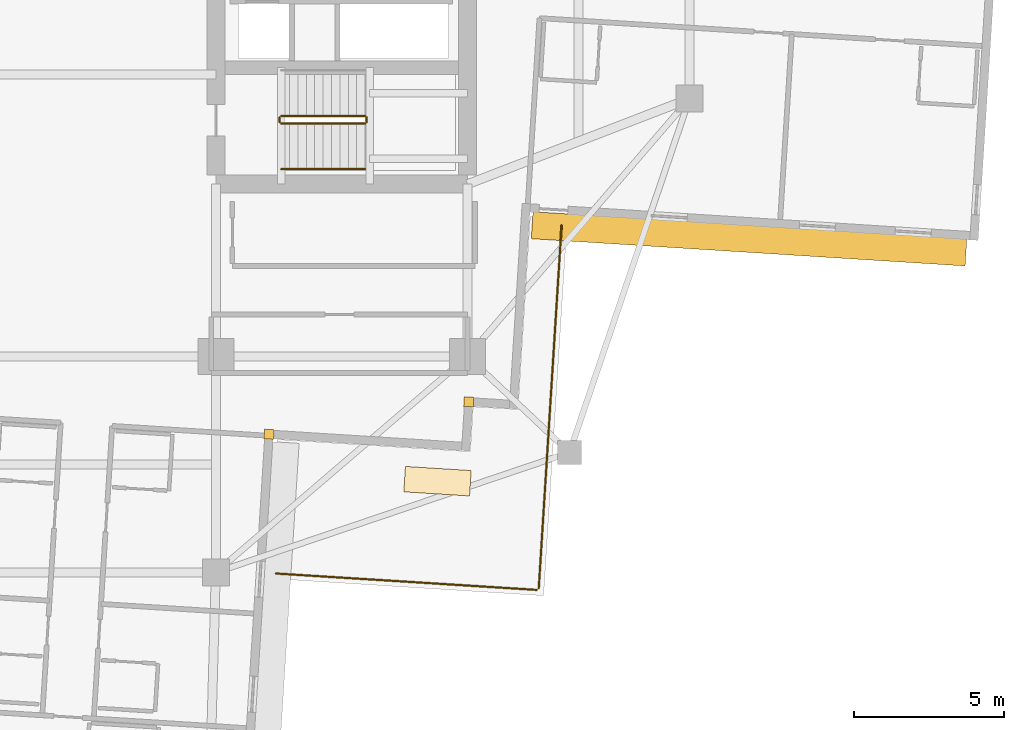
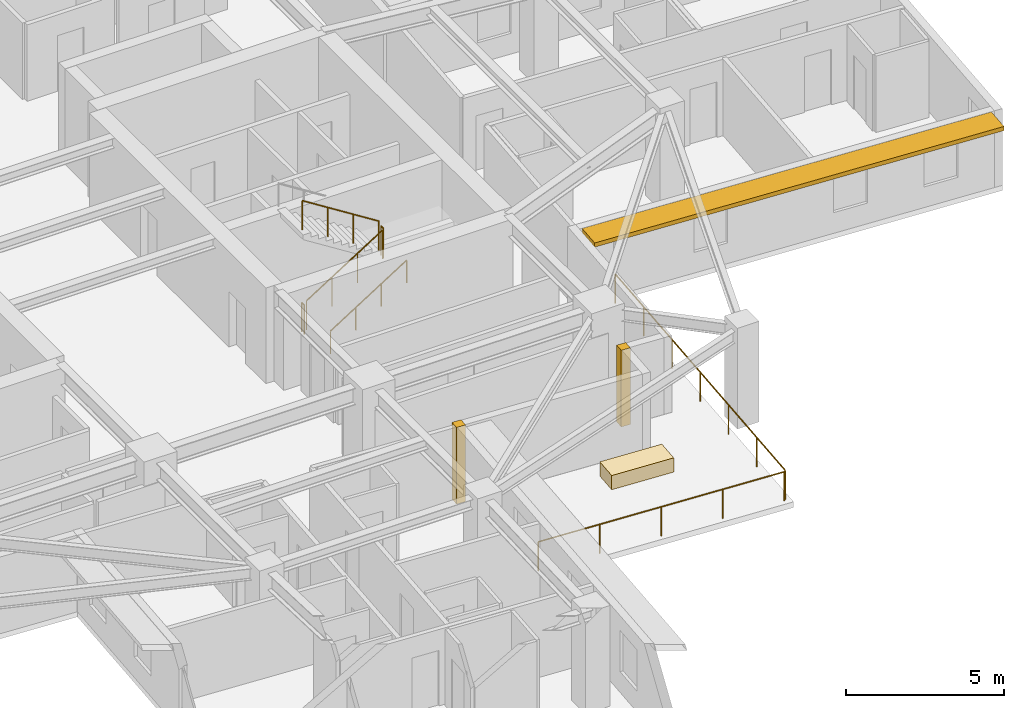
# One storey, part 12 of 14: 7 railings, 3 coverings, 1 shading device.
"""IFC4 building model written with IfcOpenShell, lengths in metres."""

from ifc_helpers import new_model, si_unit, direction, frame, origin, origin_2d, place, context, subcontext, project, spatial, rectangle, circle, extrude, material, layer, layer_set, type_object, element, save


model = new_model("IFC4")

# Units and contexts
model_context = context("Model", 3, precision=1e-05, world=origin(), true_north=direction((0.0, 1.0)))
body_context = subcontext(model_context, "Body", "Model", "MODEL_VIEW")
ifc_project = project(units=[si_unit("LENGTHUNIT", "METRE"), si_unit("AREAUNIT", "SQUARE_METRE"), si_unit("VOLUMEUNIT", "CUBIC_METRE"), si_unit("PLANEANGLEUNIT", "RADIAN"), si_unit("MASSUNIT", "GRAM", prefix="KILO")], contexts=[model_context])

# Site, building, storey
site_placement = place(None, origin())
site = spatial("IfcSite", under=ifc_project, at=site_placement, CompositionType="ELEMENT")
building_placement = place(site_placement, origin())
building = spatial("IfcBuilding", under=site, at=building_placement, Name="Qingluan Cross Belvedere", CompositionType="ELEMENT")
storey_placement = place(building_placement, frame((0.0, 0.0, 168.300048828125)))
storey = spatial("IfcBuildingStorey", under=building, at=storey_placement, Name="L42", CompositionType="ELEMENT", Elevation=168.300048828125)

# Coverings
ifc_material_1 = material(Name="Precast concrete C45", Category="concrete")
ifc_layer_1 = layer(ifc_material_1, 0.1201171875, Name="ConcreteSpandrelCladding_120")
ifc_layer_set_1 = layer_set([ifc_layer_1], Name="Precast concrete C45")
covering_type_1 = type_object("IfcCoveringType", Name="ConcreteSpandrelCladding_120", PredefinedType="CLADDING", material=ifc_layer_set_1)
for number, where, z_axis, x_axis, name in (
    (1, (12.438720703125, -14.10888671875, 0.0), (0.0, 0.0, 1.0), (0.998026728428, -0.062790519529, 0.0), "Corner closure L42-SE1"),
    (2, (5.77734375, -15.192626953125, 0.0), (0.0, 0.0, 1.0), (0.998026728428, -0.062790519529, 0.0), "Corner closure L42-SE2"),
):
    element("IfcCovering", number, at=place(storey_placement, frame(where, z_axis=z_axis, x_axis=x_axis)), inside=storey, type_object=covering_type_1, Name=name, PredefinedType="CLADDING", context=body_context, shape_type="SweptSolid", body=[
        extrude(rectangle(XDim=0.320068359375, YDim=0.320068359375, at=origin_2d()), origin(), (0.0, 0.0, 1.0), 2.969970703125),
    ])

# Shading device
ifc_material_2 = material(Name="Precast concrete C45", Category="concrete")
ifc_layer_2 = layer(ifc_material_2, 0.159912109375, Name="ConcreteSunshadeBand_900")
ifc_layer_set_2 = layer_set([ifc_layer_2], Name="Precast concrete C45")
shading_device_type = type_object("IfcShadingDeviceType", Name="ConcreteSunshadeBand_900", PredefinedType="USERDEFINED", material=ifc_layer_set_2)
shading_device_placement = place(storey_placement, frame((21.788330078125, -8.67529296875, 2.7900390625), z_axis=(0.0, 0.0, 1.0), x_axis=(0.99802639199, -0.062795866837, 0.0)))
element("IfcShadingDevice", 3, at=shading_device_placement, inside=storey, type_object=shading_device_type, Name="Concrete SUNSHADE L42-EA", ObjectType="SUNSHADE", PredefinedType="USERDEFINED", context=body_context, shape_type="SweptSolid", body=[
    extrude(rectangle(XDim=14.5, YDim=0.89990234375, at=origin_2d()), origin(), (0.0, 0.0, 1.0), 0.159912109375),
])

# Railings
ifc_material_3 = material(Name="Brushed stainless steel tubular handrail", Category="steel")
railing_type_1 = type_object("IfcRailingType", Name="StairPitchHandrail_900", PredefinedType="HANDRAIL", material=ifc_material_3)
railing_1_placement = place(storey_placement, frame((6.179931640625, -6.35009765625, 0.17724609375)))
element("IfcRailing", 4, at=railing_1_placement, inside=storey, type_object=railing_type_1, Name="L42 ST2 stair handrail 1", PredefinedType="HANDRAIL", context=body_context, shape_type="SweptSolid", body=[
    extrude(circle(Radius=0.02392578125, at=origin_2d()), frame((0.0, 0.0, 0.8759765625), z_axis=(0.844908973607, 0.0, 0.534910110503), x_axis=(0.0, 1.0, 0.0)), (0.0, 0.0, 1.0), 3.31396484375),
    extrude(circle(Radius=0.02099609375, at=origin_2d()), origin(), (0.0, 0.0, 1.0), 0.851806640625),
    extrude(circle(Radius=0.02099609375, at=origin_2d()), frame((0.933349609375, 0.0, 0.5908203125)), (0.0, 0.0, 1.0), 0.851806640625),
    extrude(circle(Radius=0.02099609375, at=origin_2d()), frame((1.86669921875, 0.0, 1.181884765625)), (0.0, 0.0, 1.0), 0.851806640625),
    extrude(circle(Radius=0.02099609375, at=origin_2d()), frame((2.800048828125, 0.0, 1.772705078125)), (0.0, 0.0, 1.0), 0.851806640625),
])
ifc_material_4 = material(Name="Painted steel stair well guard", Category="steel")
railing_type_2 = type_object("IfcRailingType", Name="StairWellGuard_1150", PredefinedType="BALUSTRADE", material=ifc_material_4)
railing_2_placement = place(storey_placement, frame((6.179931640625, -4.830078125, 0.17724609375)))
element("IfcRailing", 5, at=railing_2_placement, inside=storey, type_object=railing_type_2, Name="L42 ST2 stair guard 1", PredefinedType="BALUSTRADE", context=body_context, shape_type="SweptSolid", body=[
    extrude(circle(Radius=0.02392578125, at=origin_2d()), frame((0.0, 0.0, 1.1259765625), z_axis=(0.844908973607, 0.0, 0.534910110503), x_axis=(0.0, 1.0, 0.0)), (0.0, 0.0, 1.0), 3.31396484375),
    extrude(circle(Radius=0.02099609375, at=origin_2d()), origin(), (0.0, 0.0, 1.0), 1.101806640625),
    extrude(circle(Radius=0.02099609375, at=origin_2d()), frame((0.933349609375, 0.0, 0.5908203125)), (0.0, 0.0, 1.0), 1.101806640625),
    extrude(circle(Radius=0.02099609375, at=origin_2d()), frame((1.86669921875, 0.0, 1.181884765625)), (0.0, 0.0, 1.0), 1.101806640625),
    extrude(circle(Radius=0.02099609375, at=origin_2d()), frame((2.800048828125, 0.0, 1.772705078125)), (0.0, 0.0, 1.0), 1.101806640625),
])
railing_3_placement = place(storey_placement, frame((9.030029296875, -4.780029296875, 1.949951171875)))
element("IfcRailing", 6, at=railing_3_placement, inside=storey, type_object=railing_type_2, Name="L42 ST2 stair guard 2", PredefinedType="BALUSTRADE", context=body_context, shape_type="SweptSolid", body=[
    extrude(circle(Radius=0.02392578125, at=origin_2d()), frame((0.0, 0.0, 1.1259765625), z_axis=(0.0, 1.0, 0.0), x_axis=(-1.0, 0.0, 0.0)), (0.0, 0.0, 1.0), 0.159912109375),
    extrude(circle(Radius=0.02099609375, at=origin_2d()), origin(), (0.0, 0.0, 1.0), 1.101806640625),
    extrude(circle(Radius=0.02099609375, at=origin_2d()), frame((0.0, 0.159912109375, 0.0)), (0.0, 0.0, 1.0), 1.101806640625),
])
railing_4_placement = place(storey_placement, frame((8.97998046875, -4.570068359375, 2.127197265625)))
element("IfcRailing", 7, at=railing_4_placement, inside=storey, type_object=railing_type_2, Name="L42 ST2 stair guard 3", PredefinedType="BALUSTRADE", context=body_context, shape_type="SweptSolid", body=[
    extrude(circle(Radius=0.02392578125, at=origin_2d()), frame((0.0, 0.0, 1.1259765625), z_axis=(-0.844908973607, 0.0, 0.534910110503), x_axis=(0.0, -1.0, 0.0)), (0.0, 0.0, 1.0), 3.31396484375),
    extrude(circle(Radius=0.02099609375, at=origin_2d()), origin(), (0.0, 0.0, 1.0), 1.101806640625),
    extrude(circle(Radius=0.02099609375, at=origin_2d()), frame((-0.933349609375, 0.0, 0.5908203125)), (0.0, 0.0, 1.0), 1.101806640625),
    extrude(circle(Radius=0.02099609375, at=origin_2d()), frame((-1.86669921875, 0.0, 1.181884765625)), (0.0, 0.0, 1.0), 1.101806640625),
    extrude(circle(Radius=0.02099609375, at=origin_2d()), frame((-2.800048828125, 0.0, 1.772705078125)), (0.0, 0.0, 1.0), 1.101806640625),
])
railing_5_placement = place(storey_placement, frame((6.1298828125, -4.780029296875, 0.0)))
element("IfcRailing", 8, at=railing_5_placement, inside=storey, type_object=railing_type_2, Name="L42 ST2 stair guard 4", PredefinedType="BALUSTRADE", context=body_context, shape_type="SweptSolid", body=[
    extrude(circle(Radius=0.02392578125, at=origin_2d()), frame((0.0, 0.0, 1.1259765625), z_axis=(0.0, 1.0, 0.0), x_axis=(-1.0, 0.0, 0.0)), (0.0, 0.0, 1.0), 0.159912109375),
    extrude(circle(Radius=0.02099609375, at=origin_2d()), origin(), (0.0, 0.0, 1.0), 1.101806640625),
    extrude(circle(Radius=0.02099609375, at=origin_2d()), frame((0.0, 0.159912109375, 0.0)), (0.0, 0.0, 1.0), 1.101806640625),
])
ifc_material_5 = material(Name="Laminated glass and stainless steel balustrade", Category="steel")
railing_type_3 = type_object("IfcRailingType", Name="TerraceGuardBalustrade_1150", PredefinedType="BALUSTRADE", material=ifc_material_5)
railing_6_placement = place(storey_placement, frame((15.53369140625, -8.231689453125, 0.0)))
element("IfcRailing", 9, at=railing_6_placement, inside=storey, type_object=railing_type_3, Name="Terrace guard L42-1", PredefinedType="BALUSTRADE", context=body_context, shape_type="SweptSolid", body=[
    extrude(circle(Radius=0.02392578125, at=origin_2d()), frame((0.0, 0.0, 1.1259765625), z_axis=(-0.062788368842, -0.998026863736, 0.0), x_axis=(0.998026863736, -0.062788368842, 0.0)), (0.0, 0.0, 1.0), 12.119873046875),
    extrude(circle(Radius=0.02099609375, at=origin_2d()), origin(), (0.0, 0.0, 1.0), 1.101806640625),
    extrude(circle(Radius=0.02099609375, at=origin_2d()), frame((-0.126953125, -2.01611328125, 0.0)), (0.0, 0.0, 1.0), 1.101806640625),
    extrude(circle(Radius=0.02099609375, at=origin_2d()), frame((-0.253662109375, -4.031982421875, 0.0)), (0.0, 0.0, 1.0), 1.101806640625),
    extrude(circle(Radius=0.02099609375, at=origin_2d()), frame((-0.38037109375, -6.0478515625, 0.0)), (0.0, 0.0, 1.0), 1.101806640625),
    extrude(circle(Radius=0.02099609375, at=origin_2d()), frame((-0.50732421875, -8.06396484375, 0.0)), (0.0, 0.0, 1.0), 1.101806640625),
    extrude(circle(Radius=0.02099609375, at=origin_2d()), frame((-0.63427734375, -10.080078125, 0.0)), (0.0, 0.0, 1.0), 1.101806640625),
    extrude(circle(Radius=0.02099609375, at=origin_2d()), frame((-0.760986328125, -12.095947265625, 0.0)), (0.0, 0.0, 1.0), 1.101806640625),
])
railing_7_placement = place(storey_placement, frame((14.708984375, -20.3837890625, 0.0)))
element("IfcRailing", 10, at=railing_7_placement, inside=storey, type_object=railing_type_3, Name="Terrace guard L42-2", PredefinedType="BALUSTRADE", context=body_context, shape_type="SweptSolid", body=[
    extrude(circle(Radius=0.02392578125, at=origin_2d()), frame((0.0, 0.0, 1.1259765625), z_axis=(-0.998026125216, 0.062800106572, 0.0), x_axis=(-0.062800106572, -0.998026125216, 0.0)), (0.0, 0.0, 1.0), 8.7197265625),
    extrude(circle(Radius=0.02099609375, at=origin_2d()), origin(), (0.0, 0.0, 1.0), 1.101806640625),
    extrude(circle(Radius=0.02099609375, at=origin_2d()), frame((-2.17578125, 0.136962890625, 0.0)), (0.0, 0.0, 1.0), 1.101806640625),
    extrude(circle(Radius=0.02099609375, at=origin_2d()), frame((-4.351318359375, 0.27392578125, 0.0)), (0.0, 0.0, 1.0), 1.101806640625),
    extrude(circle(Radius=0.02099609375, at=origin_2d()), frame((-6.52685546875, 0.41064453125, 0.0)), (0.0, 0.0, 1.0), 1.101806640625),
    extrude(circle(Radius=0.02099609375, at=origin_2d()), frame((-8.70263671875, 0.547607421875, 0.0)), (0.0, 0.0, 1.0), 1.101806640625),
])

# Covering
ifc_material_6 = material(Name="Precast concrete C40", Category="concrete")
ifc_layer_3 = layer(ifc_material_6, 0.550048828125, Name="TerracePlanterBox")
ifc_layer_set_3 = layer_set([ifc_layer_3], Name="Precast concrete C40")
covering_type_2 = type_object("IfcCoveringType", Name="TerracePlanterBox", PredefinedType="USERDEFINED", material=ifc_layer_set_3)
covering_placement = place(storey_placement, frame((11.39599609375, -16.758056640625, 0.0), z_axis=(0.0, 0.0, 1.0), x_axis=(0.998026728428, -0.062790519529, 0.0)))
element("IfcCovering", 11, at=covering_placement, inside=storey, type_object=covering_type_2, Name="Spiralling winter-garden planter L42", ObjectType="PLANTER", PredefinedType="USERDEFINED", context=body_context, shape_type="SweptSolid", body=[
    extrude(rectangle(XDim=2.199951171875, YDim=0.85009765625, at=origin_2d()), origin(), (0.0, 0.0, 1.0), 0.550048828125),
])

save(model, "model.ifc")
